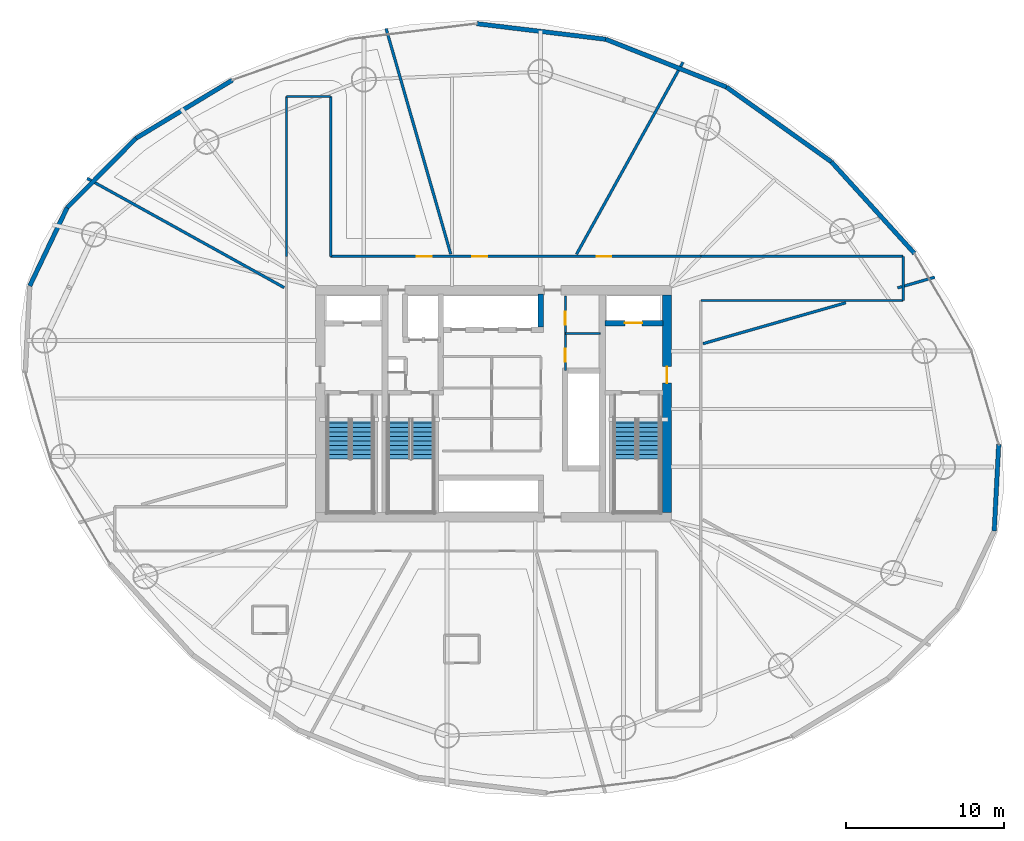
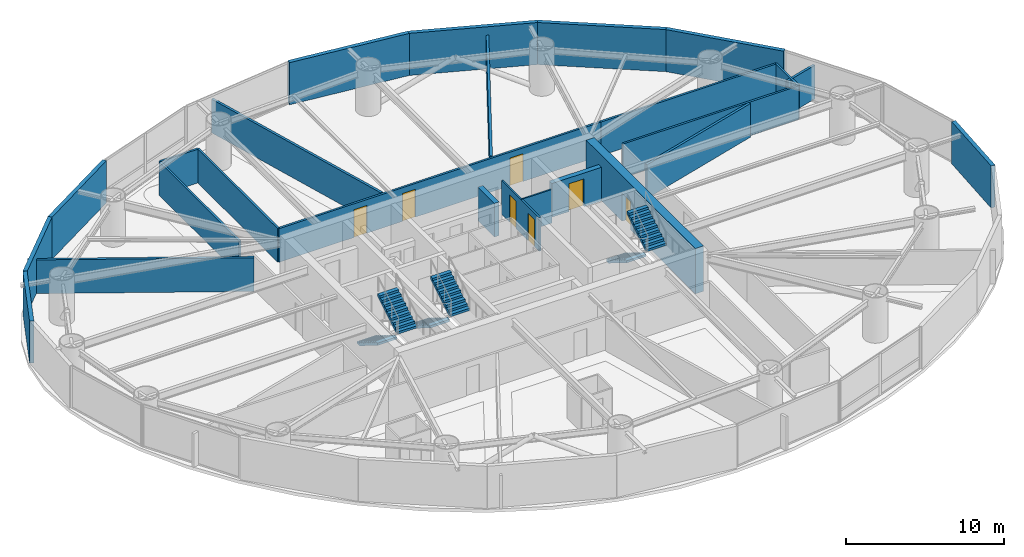
# One storey, part 25 of 30: 25 walls, 7 doors, 6 stair flights, 7 openings, 3 elements without a shape of their own.
"""IFC4 building model written with IfcOpenShell, lengths in metres."""

from ifc_helpers import new_model, si_unit, direction, frame, frame_2d, origin, place, context, subcontext, project, spatial, polyline, rectangle, outline, extrude, material, layer, layer_set, type_object, element, fill, aggregate, save


model = new_model("IFC4")

# Units and contexts
model_context = context("Model", 3, precision=1e-05, world=origin(), true_north=direction((0.0, 1.0)))
body_context = subcontext(model_context, "Body", "Model", "MODEL_VIEW")
ifc_project = project(units=[si_unit("LENGTHUNIT", "METRE"), si_unit("AREAUNIT", "SQUARE_METRE"), si_unit("VOLUMEUNIT", "CUBIC_METRE"), si_unit("PLANEANGLEUNIT", "RADIAN"), si_unit("MASSUNIT", "GRAM", prefix="KILO")], contexts=[model_context])

# Site, building, storey
site_placement = place(None, origin())
site = spatial("IfcSite", under=ifc_project, at=site_placement, CompositionType="ELEMENT")
building_placement = place(site_placement, origin())
building = spatial("IfcBuilding", under=site, at=building_placement, Name="Bramvorn Convention Spire", CompositionType="ELEMENT")
storey_placement = place(building_placement, frame((0.0, 0.0, 90.39990234375)))
storey = spatial("IfcBuildingStorey", under=building, at=storey_placement, Name="L21", CompositionType="ELEMENT", Elevation=90.39990234375)

# Wall, opening, door
ifc_material_1 = material(Name="Concrete C60/70", Category="concrete")
ifc_layer_1 = layer(ifc_material_1, 0.60009765625)
ifc_layer_set_1 = layer_set([ifc_layer_1], Name="Concrete C60/70 - WL-CORE-600")
wall_type_1 = type_object("IfcWallType", Name="WL-CORE-600", PredefinedType="SHEAR", material=ifc_layer_set_1)
wall_1_placement = place(storey_placement, frame((49.0, 19.10009765625, 0.0), z_axis=(0.0, 0.0, 1.0), x_axis=(0.0, 1.0, 0.0)))
wall_1 = element("IfcWall", 1, at=wall_1_placement, inside=storey, type_object=wall_type_1, Name="L21 East RC core shear wall", PredefinedType="SHEAR", context=body_context, shape_type="SweptSolid", body=[
    extrude(rectangle(XDim=13.7998046875, YDim=0.60009765625, at=frame_2d((6.89990234375, 0.0))), origin(), (0.0, 0.0, 1.0), 3.5),
])
opening_1_placement = place(wall_1_placement, frame((8.199951171875, 0.0, 0.0)))
opening_1 = element("IfcOpeningElement", 2, at=opening_1_placement, cuts=wall_1, Name="Opening DL-105", PredefinedType="OPENING", context=body_context, shape_type="SweptSolid", body=[
    extrude(rectangle(XDim=1.050048828125, YDim=2.14990234375, at=frame_2d((0.52490234375, 1.074951171875))), frame((0.0, 0.31005859375, 0.0), z_axis=(0.0, -1.0, 0.0), x_axis=(1.0, 0.0, 0.0)), (0.0, 0.0, 1.0), 0.6201171875),
])
ifc_material_2 = material(Name="Smoke-Sealed Fire Lobby Timber-Core Door", Category="wood")
door_type_1 = type_object("IfcDoorType", Name="DR-LOBBY-1050", OperationType="NOTDEFINED", PredefinedType="DOOR", material=ifc_material_2)
door_1_placement = place(opening_1_placement, origin())
door_1 = element("IfcDoor", 3, at=door_1_placement, inside=storey, type_object=door_type_1, Name="L21 East Firefighting Lobby corridor door", OperationType="SINGLE_SWING_LEFT", OverallHeight=2.14990234375, OverallWidth=1.050048828125, PredefinedType="DOOR", context=body_context, shape_type="SweptSolid", body=[
    extrude(rectangle(XDim=1.050048828125, YDim=2.14990234375, at=frame_2d((0.52490234375, 1.074951171875))), frame((0.0, 0.02490234375, 0.0), z_axis=(0.0, -1.0, 0.0), x_axis=(1.0, 0.0, 0.0)), (0.0, 0.0, 1.0), 0.050048828125),
])
fill(opening_1, door_1)

ifc_material_3 = material(Name="Concrete C50/60", Category="concrete")
ifc_layer_2 = layer(ifc_material_3, 0.35009765625)
ifc_layer_set_2 = layer_set([ifc_layer_2], Name="Concrete C50/60 - WL-CORE-INT-350")
wall_type_2 = type_object("IfcWallType", Name="WL-CORE-INT-350", PredefinedType="SHEAR", material=ifc_layer_set_2)
wall_2_placement = place(storey_placement, frame((45.080078125, 31.1201171875, 0.0), z_axis=(0.0, 0.0, 1.0), x_axis=(1.0, 0.0, 0.0)))
wall_2 = element("IfcWall", 4, at=wall_2_placement, inside=storey, type_object=wall_type_2, Name="L21 FE2 shaft front wall", PredefinedType="SHEAR", context=body_context, shape_type="SweptSolid", body=[
    extrude(rectangle(XDim=3.669921875, YDim=0.35009765625, at=frame_2d((1.8349609375, 0.0))), origin(), (0.0, 0.0, 1.0), 2.60009765625),
])
opening_2_placement = place(wall_2_placement, frame((1.25, 0.0, 0.0)))
opening_2 = element("IfcOpeningElement", 5, at=opening_2_placement, cuts=wall_2, Name="Opening LD-110", PredefinedType="OPENING", context=body_context, shape_type="SweptSolid", body=[
    extrude(rectangle(XDim=1.10009765625, YDim=2.14990234375, at=frame_2d((0.550048828125, 1.074951171875))), frame((0.0, 0.18505859375, 0.0), z_axis=(0.0, -1.0, 0.0), x_axis=(1.0, 0.0, 0.0)), (0.0, 0.0, 1.0), 0.3701171875),
])
ifc_material_4 = material(Name="Firefighting & Service Lift Sliding Landing Door", Category="steel")
door_type_2 = type_object("IfcDoorType", Name="DR-LIFT-LD-1100", OperationType="NOTDEFINED", PredefinedType="DOOR", material=ifc_material_4)
door_2_placement = place(opening_2_placement, origin())
door_2 = element("IfcDoor", 6, at=door_2_placement, inside=storey, type_object=door_type_2, Name="L21 Lift FE2 Sliding Landing Door", OperationType="SLIDING_TO_LEFT", OverallHeight=2.14990234375, OverallWidth=1.10009765625, PredefinedType="DOOR", context=body_context, shape_type="SweptSolid", body=[
    extrude(rectangle(XDim=1.10009765625, YDim=2.14990234375, at=frame_2d((0.550048828125, 1.074951171875))), frame((0.0, 0.02490234375, 0.0), z_axis=(0.0, -1.0, 0.0), x_axis=(1.0, 0.0, 0.0)), (0.0, 0.0, 1.0), 0.050048828125),
])
fill(opening_2, door_2)

# Walls
wall_3_placement = place(storey_placement, frame((41.0, 30.8701171875, 0.0), z_axis=(0.0, 0.0, 1.0), x_axis=(0.0, 1.0, 0.0)))
element("IfcWall", 7, at=wall_3_placement, inside=storey, type_object=wall_type_2, Name="L21 Low-rise bank east cheek wall", PredefinedType="SHEAR", context=body_context, shape_type="SweptSolid", body=[
    extrude(rectangle(XDim=2.079833984375, YDim=0.35009765625, at=frame_2d((1.0400390625, 0.0))), origin(), (0.0, 0.0, 1.0), 2.60009765625),
])
ifc_material_5 = material(Name="Precast Concrete C40/50 with Bronze Terracotta Rainscreen", Category="masonry")
ifc_layer_3 = layer(ifc_material_5, 0.300048828125)
ifc_layer_set_3 = layer_set([ifc_layer_3], Name="Precast Concrete C40/50 with Bronze Terracotta Rainscreen - WL-EXT-BRONZE-300")
wall_type_3 = type_object("IfcWallType", Name="WL-EXT-BRONZE-300", PredefinedType="SOLIDWALL", material=ifc_layer_set_3)
wall_4_placement = place(storey_placement, frame((70.055419921875, 23.421142578125, 0.0), z_axis=(0.0, 0.0, 1.0), x_axis=(-0.051649739807, -0.998665261425, 0.0)))
element("IfcWall", 8, at=wall_4_placement, inside=storey, type_object=wall_type_3, Name="L21 expressed bronze Gothic lancet pier wall 01", PredefinedType="SOLIDWALL", context=body_context, shape_type="SweptSolid", body=[
    extrude(rectangle(XDim=5.497314453125, YDim=0.280029296875, at=frame_2d((2.74853515625, 0.0))), origin(), (0.0, 0.0, 1.0), 3.25),
])
wall_5_placement = place(storey_placement, frame((59.428955078125, 41.3544921875, 0.0), z_axis=(0.0, 0.0, 1.0), x_axis=(0.672142867196, -0.740421478671, 0.0)))
element("IfcWall", 9, at=wall_5_placement, inside=storey, type_object=wall_type_3, Name="L21 expressed bronze Gothic lancet pier wall 04", PredefinedType="SOLIDWALL", context=body_context, shape_type="SweptSolid", body=[
    extrude(rectangle(XDim=7.844970703125, YDim=0.280029296875, at=frame_2d((3.92236328125, 0.0))), origin(), (0.0, 0.0, 1.0), 3.25),
])
wall_6_placement = place(storey_placement, frame((52.77490234375, 46.0966796875, 0.0), z_axis=(0.0, 0.0, 1.0), x_axis=(0.814352796441, -0.580370160267, 0.0)))
element("IfcWall", 10, at=wall_6_placement, inside=storey, type_object=wall_type_3, Name="L21 expressed bronze Gothic lancet pier wall 05", PredefinedType="SOLIDWALL", context=body_context, shape_type="SweptSolid", body=[
    extrude(rectangle(XDim=8.1708984375, YDim=0.280029296875, at=frame_2d((4.08544921875, 0.0))), origin(), (0.0, 0.0, 1.0), 3.25),
])
wall_7_placement = place(storey_placement, frame((45.11279296875, 49.13134765625, 0.0), z_axis=(0.0, 0.0, 1.0), x_axis=(0.929733940002, -0.368231993189, 0.0)))
element("IfcWall", 11, at=wall_7_placement, inside=storey, type_object=wall_type_3, Name="L21 expressed bronze Gothic lancet pier wall 06", PredefinedType="SOLIDWALL", context=body_context, shape_type="SweptSolid", body=[
    extrude(rectangle(XDim=8.2412109375, YDim=0.280029296875, at=frame_2d((4.12060546875, 0.0))), origin(), (0.0, 0.0, 1.0), 3.25),
])
wall_8_placement = place(storey_placement, frame((36.930908203125, 50.120361328125, 0.0), z_axis=(0.0, 0.0, 1.0), x_axis=(0.992773297887, -0.120004912414, 0.0)))
element("IfcWall", 12, at=wall_8_placement, inside=storey, type_object=wall_type_3, Name="L21 expressed bronze Gothic lancet pier wall 07", PredefinedType="SOLIDWALL", context=body_context, shape_type="SweptSolid", body=[
    extrude(rectangle(XDim=8.241455078125, YDim=0.280029296875, at=frame_2d((4.12060546875, 0.0))), origin(), (0.0, 0.0, 1.0), 3.25),
])
wall_9_placement = place(storey_placement, frame((15.2998046875, 42.848388671875, 0.0), z_axis=(0.0, 0.0, 1.0), x_axis=(0.856129783559, 0.51676086704, 0.0)))
element("IfcWall", 13, at=wall_9_placement, inside=storey, type_object=wall_type_3, Name="L21 expressed bronze Gothic lancet pier wall 10", PredefinedType="SOLIDWALL", context=body_context, shape_type="SweptSolid", body=[
    extrude(rectangle(XDim=7.142822265625, YDim=0.280029296875, at=frame_2d((3.5712890625, 0.0))), origin(), (0.0, 0.0, 1.0), 3.25),
])
wall_10_placement = place(storey_placement, frame((10.9248046875, 38.4384765625, 0.0), z_axis=(0.0, 0.0, 1.0), x_axis=(0.704291107344, 0.709911287497, 0.0)))
element("IfcWall", 14, at=wall_10_placement, inside=storey, type_object=wall_type_3, Name="L21 expressed bronze Gothic lancet pier wall 11", PredefinedType="SOLIDWALL", context=body_context, shape_type="SweptSolid", body=[
    extrude(rectangle(XDim=6.2119140625, YDim=0.280029296875, at=frame_2d((3.10595703125, 0.0))), origin(), (0.0, 0.0, 1.0), 3.25),
])
wall_11_placement = place(storey_placement, frame((8.5546875, 33.47802734375, 0.0), z_axis=(0.0, 0.0, 1.0), x_axis=(0.431119191354, 0.902294986602, 0.0)))
element("IfcWall", 15, at=wall_11_placement, inside=storey, type_object=wall_type_3, Name="L21 expressed bronze Gothic lancet pier wall 12", PredefinedType="SOLIDWALL", context=body_context, shape_type="SweptSolid", body=[
    extrude(rectangle(XDim=5.49755859375, YDim=0.280029296875, at=frame_2d((2.748779296875, 0.0))), origin(), (0.0, 0.0, 1.0), 3.25),
])
ifc_material_6 = material(Name="Lightweight En-Suite & Wet-Wall Partition", Category="gypsum")
ifc_layer_4 = layer(ifc_material_6, 0.110107421875)
ifc_layer_set_4 = layer_set([ifc_layer_4], Name="Lightweight En-Suite & Wet-Wall Partition - WL-PART-110")
wall_type_4 = type_object("IfcWallType", Name="WL-PART-110", PredefinedType="PARTITIONING", material=ifc_layer_set_4)
wall_12_placement = place(storey_placement, frame((42.550048828125, 30.449951171875, 0.0), z_axis=(0.0, 0.0, 1.0), x_axis=(1.0, 0.0, 0.0)))
element("IfcWall", 16, at=wall_12_placement, inside=storey, type_object=wall_type_4, Name="L21 KB NE divider", PredefinedType="PARTITIONING", context=body_context, shape_type="SweptSolid", body=[
    extrude(rectangle(XDim=2.199951171875, YDim=0.110107421875, at=frame_2d((1.10009765625, 0.0))), origin(), (0.0, 0.0, 1.0), 2.60009765625),
])

# Wall, openings, doors
ifc_material_7 = material(Name="Metal-Stud Demountable Office Partition", Category="gypsum")
ifc_layer_5 = layer(ifc_material_7, 0.1298828125)
ifc_layer_set_5 = layer_set([ifc_layer_5], Name="Metal-Stud Demountable Office Partition - WL-PART-130")
wall_type_5 = type_object("IfcWallType", Name="WL-PART-130", PredefinedType="PARTITIONING", material=ifc_layer_set_5)
wall_13_placement = place(storey_placement, frame((42.550048828125, 28.10009765625, 0.0), z_axis=(0.0, 0.0, 1.0), x_axis=(0.0, 1.0, 0.0)))
wall_13 = element("IfcWall", 17, at=wall_13_placement, inside=storey, type_object=wall_type_5, Name="L21 KB NE split wall", PredefinedType="PARTITIONING", context=body_context, shape_type="SweptSolid", body=[
    extrude(rectangle(XDim=4.75, YDim=0.1298828125, at=frame_2d((2.375, 0.0))), origin(), (0.0, 0.0, 1.0), 2.60009765625),
])
opening_3_placement = place(wall_13_placement, frame((0.550048828125, 0.0, 0.0)))
opening_3 = element("IfcOpeningElement", 18, at=opening_3_placement, cuts=wall_13, Name="Opening DC-085", PredefinedType="OPENING", context=body_context, shape_type="SweptSolid", body=[
    extrude(rectangle(XDim=0.85009765625, YDim=2.10009765625, at=frame_2d((0.425048828125, 1.050048828125))), frame((0.0, 0.074951171875, 0.0), z_axis=(0.0, -1.0, 0.0), x_axis=(1.0, 0.0, 0.0)), (0.0, 0.0, 1.0), 0.14990234375),
])
opening_4_placement = place(wall_13_placement, frame((2.89990234375, 0.0, 0.0)))
opening_4 = element("IfcOpeningElement", 19, at=opening_4_placement, cuts=wall_13, Name="Opening DC-085", PredefinedType="OPENING", context=body_context, shape_type="SweptSolid", body=[
    extrude(rectangle(XDim=0.85009765625, YDim=2.10009765625, at=frame_2d((0.425048828125, 1.050048828125))), frame((0.0, 0.074951171875, 0.0), z_axis=(0.0, -1.0, 0.0), x_axis=(1.0, 0.0, 0.0)), (0.0, 0.0, 1.0), 0.14990234375),
])
ifc_material_8 = material(Name="Fire-Rated Core Washroom & IDF Door", Category="wood")
door_type_3 = type_object("IfcDoorType", Name="DR-CORE-850", OperationType="NOTDEFINED", PredefinedType="DOOR", material=ifc_material_8)
door_3_placement = place(opening_3_placement, origin())
door_3 = element("IfcDoor", 20, at=door_3_placement, inside=storey, type_object=door_type_3, Name="L21 Core Staff WC door", OperationType="SINGLE_SWING_LEFT", OverallHeight=2.10009765625, OverallWidth=0.85009765625, PredefinedType="DOOR", context=body_context, shape_type="SweptSolid", body=[
    extrude(rectangle(XDim=0.85009765625, YDim=2.10009765625, at=frame_2d((0.425048828125, 1.050048828125))), frame((0.0, 0.02490234375, 0.0), z_axis=(0.0, -1.0, 0.0), x_axis=(1.0, 0.0, 0.0)), (0.0, 0.0, 1.0), 0.050048828125),
])
fill(opening_3, door_3)
door_4_placement = place(opening_4_placement, origin())
door_4 = element("IfcDoor", 21, at=door_4_placement, inside=storey, type_object=door_type_3, Name="L21 Core Data Closet door", OperationType="SINGLE_SWING_LEFT", OverallHeight=2.10009765625, OverallWidth=0.85009765625, PredefinedType="DOOR", context=body_context, shape_type="SweptSolid", body=[
    extrude(rectangle(XDim=0.85009765625, YDim=2.10009765625, at=frame_2d((0.425048828125, 1.050048828125))), frame((0.0, 0.02490234375, 0.0), z_axis=(0.0, -1.0, 0.0), x_axis=(1.0, 0.0, 0.0)), (0.0, 0.0, 1.0), 0.050048828125),
])
fill(opening_4, door_4)

ifc_material_9 = material(Name="Acoustic Metal-Stud Tenant/Corridor Partition", Category="gypsum")
ifc_layer_6 = layer(ifc_material_9, 0.14990234375)
ifc_layer_set_6 = layer_set([ifc_layer_6], Name="Acoustic Metal-Stud Tenant/Corridor Partition - WL-PART-150")
wall_type_6 = type_object("IfcWallType", Name="WL-PART-150", PredefinedType="PARTITIONING", material=ifc_layer_set_6)
wall_14_placement = place(storey_placement, frame((27.64990234375, 35.35009765625, 0.0), z_axis=(0.0, 0.0, 1.0), x_axis=(1.0, 0.0, 0.0)))
wall_14 = element("IfcWall", 22, at=wall_14_placement, inside=storey, type_object=wall_type_6, Name="L21 North ring corridor wall", PredefinedType="PARTITIONING", context=body_context, shape_type="SweptSolid", body=[
    extrude(rectangle(XDim=23.5, YDim=0.14990234375, at=frame_2d((11.75, 0.0))), origin(), (0.0, 0.0, 1.0), 2.60009765625),
])
opening_5_placement = place(wall_14_placement, frame((16.876953125, 0.0, 0.0)))
opening_5 = element("IfcOpeningElement", 23, at=opening_5_placement, cuts=wall_14, Name="Opening DH-095", PredefinedType="OPENING", context=body_context, shape_type="SweptSolid", body=[
    extrude(rectangle(XDim=0.949951171875, YDim=2.14990234375, at=frame_2d((0.47509765625, 1.074951171875))), frame((0.0, 0.0849609375, 0.0), z_axis=(0.0, -1.0, 0.0), x_axis=(1.0, 0.0, 0.0)), (0.0, 0.0, 1.0), 0.169921875),
])
opening_6_placement = place(wall_14_placement, frame((9.003173828125, 0.0, 0.0)))
opening_6 = element("IfcOpeningElement", 24, at=opening_6_placement, cuts=wall_14, Name="Opening DH-095", PredefinedType="OPENING", context=body_context, shape_type="SweptSolid", body=[
    extrude(rectangle(XDim=0.949951171875, YDim=2.14990234375, at=frame_2d((0.47509765625, 1.074951171875))), frame((0.0, 0.0849609375, 0.0), z_axis=(0.0, -1.0, 0.0), x_axis=(1.0, 0.0, 0.0)), (0.0, 0.0, 1.0), 0.169921875),
])
opening_7_placement = place(wall_14_placement, frame((5.47314453125, 0.0, 0.0)))
opening_7 = element("IfcOpeningElement", 25, at=opening_7_placement, cuts=wall_14, Name="Opening DH-095", PredefinedType="OPENING", context=body_context, shape_type="SweptSolid", body=[
    extrude(rectangle(XDim=0.949951171875, YDim=2.14990234375, at=frame_2d((0.47509765625, 1.074951171875))), frame((0.0, 0.0849609375, 0.0), z_axis=(0.0, -1.0, 0.0), x_axis=(1.0, 0.0, 0.0)), (0.0, 0.0, 1.0), 0.169921875),
])
ifc_material_10 = material(Name="Solid-Core Acoustic Guestroom Entry Door", Category="wood")
door_type_4 = type_object("IfcDoorType", Name="DR-HOTEL-950", OperationType="NOTDEFINED", PredefinedType="DOOR", material=ifc_material_10)
door_5_placement = place(opening_5_placement, origin())
door_5 = element("IfcDoor", 26, at=door_5_placement, inside=storey, type_object=door_type_4, Name="L21 Hospitality Lounge 1 door", OperationType="SINGLE_SWING_LEFT", OverallHeight=2.14990234375, OverallWidth=0.949951171875, PredefinedType="DOOR", context=body_context, shape_type="SweptSolid", body=[
    extrude(rectangle(XDim=0.949951171875, YDim=2.14990234375, at=frame_2d((0.47509765625, 1.074951171875))), frame((0.0, 0.02490234375, 0.0), z_axis=(0.0, -1.0, 0.0), x_axis=(1.0, 0.0, 0.0)), (0.0, 0.0, 1.0), 0.050048828125),
])
fill(opening_5, door_5)
door_6_placement = place(opening_6_placement, origin())
door_6 = element("IfcDoor", 27, at=door_6_placement, inside=storey, type_object=door_type_4, Name="L21 Hospitality Lounge 2 door", OperationType="SINGLE_SWING_LEFT", OverallHeight=2.14990234375, OverallWidth=0.949951171875, PredefinedType="DOOR", context=body_context, shape_type="SweptSolid", body=[
    extrude(rectangle(XDim=0.949951171875, YDim=2.14990234375, at=frame_2d((0.47509765625, 1.074951171875))), frame((0.0, 0.02490234375, 0.0), z_axis=(0.0, -1.0, 0.0), x_axis=(1.0, 0.0, 0.0)), (0.0, 0.0, 1.0), 0.050048828125),
])
fill(opening_6, door_6)
door_7_placement = place(opening_7_placement, origin())
door_7 = element("IfcDoor", 28, at=door_7_placement, inside=storey, type_object=door_type_4, Name="Hotel Suite 2103 entry door", OperationType="SINGLE_SWING_RIGHT", OverallHeight=2.14990234375, OverallWidth=0.949951171875, PredefinedType="DOOR", context=body_context, shape_type="SweptSolid", body=[
    extrude(rectangle(XDim=0.949951171875, YDim=2.14990234375, at=frame_2d((0.47509765625, 1.074951171875))), frame((0.0, 0.02490234375, 0.0), z_axis=(0.0, -1.0, 0.0), x_axis=(1.0, 0.0, 0.0)), (0.0, 0.0, 1.0), 0.050048828125),
])
fill(opening_7, door_7)

# Walls
for number, where, z_axis, x_axis, name in (
    (29, (51.14990234375, 35.35009765625, 0.0), (0.0, 0.0, 1.0), (1.0, 0.0, 0.0), "L21 NE pinwheel wing north wall"),
    (30, (51.14990234375, 32.550048828125, 0.0), (0.0, 0.0, 1.0), (1.0, 0.0, 0.0), "L21 NE pinwheel wing south wall"),
):
    element("IfcWall", number, at=place(storey_placement, frame(where, z_axis=z_axis, x_axis=x_axis)), inside=storey, type_object=wall_type_6, Name=name, PredefinedType="PARTITIONING", context=body_context, shape_type="SweptSolid", body=[
        extrude(rectangle(XDim=12.8447265625, YDim=0.14990234375, at=frame_2d((6.42236328125, 0.0))), origin(), (0.0, 0.0, 1.0), 2.60009765625),
    ])
wall_15_placement = place(storey_placement, frame((63.99462890625, 32.550048828125, 0.0), z_axis=(0.0, 0.0, 1.0), x_axis=(0.0, 1.0, 0.0)))
element("IfcWall", 31, at=wall_15_placement, inside=storey, type_object=wall_type_6, Name="L21 NE pinwheel end wall", PredefinedType="PARTITIONING", context=body_context, shape_type="SweptSolid", body=[
    extrude(rectangle(XDim=2.800048828125, YDim=0.14990234375, at=frame_2d((1.39990234375, 0.0))), origin(), (0.0, 0.0, 1.0), 2.60009765625),
])
for number, where, z_axis, x_axis, name in (
    (32, (24.85009765625, 35.35009765625, 0.0), (0.0, 0.0, 1.0), (0.0, 1.0, 0.0), "L21 NW pinwheel wing west wall"),
    (33, (27.64990234375, 35.35009765625, 0.0), (0.0, 0.0, 1.0), (0.0, 1.0, 0.0), "L21 NW pinwheel wing east wall"),
):
    element("IfcWall", number, at=place(storey_placement, frame(where, z_axis=z_axis, x_axis=x_axis)), inside=storey, type_object=wall_type_6, Name=name, PredefinedType="PARTITIONING", context=body_context, shape_type="SweptSolid", body=[
        extrude(rectangle(XDim=10.14990234375, YDim=0.14990234375, at=frame_2d((5.074951171875, 0.0))), origin(), (0.0, 0.0, 1.0), 2.60009765625),
    ])
wall_16_placement = place(storey_placement, frame((24.85009765625, 45.5, 0.0), z_axis=(0.0, 0.0, 1.0), x_axis=(1.0, 0.0, 0.0)))
element("IfcWall", 34, at=wall_16_placement, inside=storey, type_object=wall_type_6, Name="L21 NW pinwheel end wall", PredefinedType="PARTITIONING", context=body_context, shape_type="SweptSolid", body=[
    extrude(rectangle(XDim=2.7998046875, YDim=0.14990234375, at=frame_2d((1.39990234375, 0.0))), origin(), (0.0, 0.0, 1.0), 2.60009765625),
])
ifc_material_11 = material(Name="Double-Stud Acoustic Hotel/Suite Partition", Category="gypsum")
ifc_layer_7 = layer(ifc_material_11, 0.175048828125)
ifc_layer_set_7 = layer_set([ifc_layer_7], Name="Double-Stud Acoustic Hotel/Suite Partition - WL-PART-175")
wall_type_7 = type_object("IfcWallType", Name="WL-PART-175", PredefinedType="PARTITIONING", material=ifc_layer_set_7)
wall_17_placement = place(storey_placement, frame((51.2900390625, 29.810791015625, 0.0), z_axis=(0.0, 0.0, 1.0), x_axis=(0.961261668066, 0.275637453019, 0.0)))
element("IfcWall", 35, at=wall_17_placement, inside=storey, type_object=wall_type_7, Name="L21 Guestroom demising wall 1", PredefinedType="PARTITIONING", context=body_context, shape_type="SweptSolid", body=[
    extrude(rectangle(XDim=9.429443359375, YDim=0.175048828125, at=frame_2d((4.71484375, 0.0))), origin(), (0.0, 0.0, 1.0), 2.60009765625),
])
wall_18_placement = place(storey_placement, frame((63.63427734375, 33.3505859375, 0.0), z_axis=(0.0, 0.0, 1.0), x_axis=(0.961261224471, 0.275639000014, 0.0)))
element("IfcWall", 36, at=wall_18_placement, inside=storey, type_object=wall_type_7, Name="L21 Guestroom demising wall 1", PredefinedType="PARTITIONING", context=body_context, shape_type="SweptSolid", body=[
    extrude(rectangle(XDim=2.458740234375, YDim=0.175048828125, at=frame_2d((1.2294921875, 0.0))), origin(), (0.0, 0.0, 1.0), 2.60009765625),
])
wall_19_placement = place(storey_placement, frame((43.260498046875, 35.489990234375, 0.0), z_axis=(0.0, 0.0, 1.0), x_axis=(0.484809077535, 0.874620007969, 0.0)))
element("IfcWall", 37, at=wall_19_placement, inside=storey, type_object=wall_type_7, Name="L21 Guestroom demising wall 2", PredefinedType="PARTITIONING", context=body_context, shape_type="SweptSolid", body=[
    extrude(rectangle(XDim=13.94970703125, YDim=0.175048828125, at=frame_2d((6.974853515625, 0.0))), origin(), (0.0, 0.0, 1.0), 2.60009765625),
])
wall_20_placement = place(storey_placement, frame((35.27880859375, 35.489990234375, 0.0), z_axis=(0.0, 0.0, 1.0), x_axis=(-0.275642608392, 0.961260189771, 0.0)))
element("IfcWall", 38, at=wall_20_placement, inside=storey, type_object=wall_type_7, Name="L21 Guestroom demising wall 3", PredefinedType="PARTITIONING", context=body_context, shape_type="SweptSolid", body=[
    extrude(rectangle(XDim=14.90478515625, YDim=0.175048828125, at=frame_2d((7.452392578125, 0.0))), origin(), (0.0, 0.0, 1.0), 2.60009765625),
])
wall_21_placement = place(storey_placement, frame((24.7099609375, 33.36669921875, 0.0), z_axis=(0.0, 0.0, 1.0), x_axis=(-0.874610832143, 0.484825630819, 0.0)))
element("IfcWall", 39, at=wall_21_placement, inside=storey, type_object=wall_type_7, Name="L21 Guestroom demising wall 4", PredefinedType="PARTITIONING", context=body_context, shape_type="SweptSolid", body=[
    extrude(rectangle(XDim=14.308349609375, YDim=0.175048828125, at=frame_2d((7.154296875, 0.0))), origin(), (0.0, 0.0, 1.0), 2.60009765625),
])

# Stair, stair flights
ifc_material_12 = material(Name="Concrete C40/50 Precast Stair", Category="concrete")
stair_type = type_object("IfcStairType", Name="ST-TOWER-1550", PredefinedType="HALF_TURN_STAIR", material=ifc_material_12)
stair_1_placement = place(storey_placement, origin())
stair_1 = element("IfcStair", 40, at=stair_1_placement, inside=storey, type_object=stair_type, Name="L21 Protected Exit Stair ST1", PredefinedType="HALF_TURN_STAIR")
ifc_material_13 = material(Name="Concrete C40/50 Precast Stair Flight", Category="concrete")
stair_flight_type = type_object("IfcStairFlightType", Name="STF-TOWER-1550", PredefinedType="STRAIGHT", material=ifc_material_13)
stair_flight_1_placement = place(storey_placement, frame((28.155029296875, 25.050048828125, 0.0), z_axis=(0.0, 0.0, 1.0), x_axis=(0.0, -1.0, 0.0)))
stair_flight_1 = element("IfcStairFlight", 41, at=stair_flight_1_placement, type_object=stair_flight_type, Name="ST1 flight 1", NumberOfRisers=10, NumberOfTreads=9, PredefinedType="STRAIGHT", RiserHeight=0.175, TreadLength=0.285, context=body_context, shape_type="SweptSolid", body=[
    extrude(outline(polyline([(0.0, 0.0), (0.0, 0.175048828125), (0.284912109375, 0.175048828125), (0.284912109375, 0.35009765625), (0.570068359375, 0.35009765625), (0.570068359375, 0.52490234375), (0.85498046875, 0.52490234375), (0.85498046875, 0.699951171875), (1.139892578125, 0.699951171875), (1.139892578125, 0.875), (1.425048828125, 0.875), (1.425048828125, 1.050048828125), (1.7099609375, 1.050048828125), (1.7099609375, 1.22509765625), (1.9951171875, 1.22509765625), (1.9951171875, 1.39990234375), (2.280029296875, 1.39990234375), (2.280029296875, 1.574951171875), (2.56494140625, 1.574951171875), (2.56494140625, 1.75), (2.56494140625, 1.399169921875), (0.286376953125, 0.0), (0.0, 0.0)])), frame((0.0, 0.705078125, 0.0), z_axis=(0.0, -1.0, 0.0), x_axis=(1.0, 0.0, 0.0)), (0.0, 0.0, 1.0), 1.409912109375),
])
stair_flight_2_placement = place(storey_placement, frame((29.64501953125, 22.485107421875, 1.75), z_axis=(0.0, 0.0, 1.0), x_axis=(0.0, 1.0, 0.0)))
stair_flight_2 = element("IfcStairFlight", 42, at=stair_flight_2_placement, type_object=stair_flight_type, Name="ST1 flight 2", NumberOfRisers=10, NumberOfTreads=9, PredefinedType="STRAIGHT", RiserHeight=0.175, TreadLength=0.285, context=body_context, shape_type="SweptSolid", body=[
    extrude(outline(polyline([(0.0, 0.0), (0.0, 0.175048828125), (0.284912109375, 0.175048828125), (0.284912109375, 0.35009765625), (0.570068359375, 0.35009765625), (0.570068359375, 0.52490234375), (0.85498046875, 0.52490234375), (0.85498046875, 0.699951171875), (1.139892578125, 0.699951171875), (1.139892578125, 0.875), (1.425048828125, 0.875), (1.425048828125, 1.050048828125), (1.7099609375, 1.050048828125), (1.7099609375, 1.22509765625), (1.9951171875, 1.22509765625), (1.9951171875, 1.39990234375), (2.280029296875, 1.39990234375), (2.280029296875, 1.574951171875), (2.56494140625, 1.574951171875), (2.56494140625, 1.75), (2.56494140625, 1.399169921875), (0.286376953125, 0.0), (0.0, 0.0)])), frame((0.0, 0.705078125, 0.0), z_axis=(0.0, -1.0, 0.0), x_axis=(1.0, 0.0, 0.0)), (0.0, 0.0, 1.0), 1.409912109375),
])
aggregate(stair_1, [stair_flight_1, stair_flight_2])

stair_2_placement = place(storey_placement, origin())
stair_2 = element("IfcStair", 43, at=stair_2_placement, inside=storey, type_object=stair_type, Name="L21 Protected Exit Stair ST2", PredefinedType="HALF_TURN_STAIR")
stair_flight_3_placement = place(storey_placement, frame((46.35498046875, 25.050048828125, 0.0), z_axis=(0.0, 0.0, 1.0), x_axis=(0.0, -1.0, 0.0)))
stair_flight_3 = element("IfcStairFlight", 44, at=stair_flight_3_placement, type_object=stair_flight_type, Name="ST2 flight 1", NumberOfRisers=10, NumberOfTreads=9, PredefinedType="STRAIGHT", RiserHeight=0.175, TreadLength=0.285, context=body_context, shape_type="SweptSolid", body=[
    extrude(outline(polyline([(0.0, 0.0), (0.0, 0.175048828125), (0.284912109375, 0.175048828125), (0.284912109375, 0.35009765625), (0.570068359375, 0.35009765625), (0.570068359375, 0.52490234375), (0.85498046875, 0.52490234375), (0.85498046875, 0.699951171875), (1.139892578125, 0.699951171875), (1.139892578125, 0.875), (1.425048828125, 0.875), (1.425048828125, 1.050048828125), (1.7099609375, 1.050048828125), (1.7099609375, 1.22509765625), (1.9951171875, 1.22509765625), (1.9951171875, 1.39990234375), (2.280029296875, 1.39990234375), (2.280029296875, 1.574951171875), (2.56494140625, 1.574951171875), (2.56494140625, 1.75), (2.56494140625, 1.399169921875), (0.286376953125, 0.0), (0.0, 0.0)])), frame((0.0, 0.705078125, 0.0), z_axis=(0.0, -1.0, 0.0), x_axis=(1.0, 0.0, 0.0)), (0.0, 0.0, 1.0), 1.409912109375),
])
stair_flight_4_placement = place(storey_placement, frame((47.844970703125, 22.485107421875, 1.75), z_axis=(0.0, 0.0, 1.0), x_axis=(0.0, 1.0, 0.0)))
stair_flight_4 = element("IfcStairFlight", 45, at=stair_flight_4_placement, type_object=stair_flight_type, Name="ST2 flight 2", NumberOfRisers=10, NumberOfTreads=9, PredefinedType="STRAIGHT", RiserHeight=0.175, TreadLength=0.285, context=body_context, shape_type="SweptSolid", body=[
    extrude(outline(polyline([(0.0, 0.0), (0.0, 0.175048828125), (0.284912109375, 0.175048828125), (0.284912109375, 0.35009765625), (0.570068359375, 0.35009765625), (0.570068359375, 0.52490234375), (0.85498046875, 0.52490234375), (0.85498046875, 0.699951171875), (1.139892578125, 0.699951171875), (1.139892578125, 0.875), (1.425048828125, 0.875), (1.425048828125, 1.050048828125), (1.7099609375, 1.050048828125), (1.7099609375, 1.22509765625), (1.9951171875, 1.22509765625), (1.9951171875, 1.39990234375), (2.280029296875, 1.39990234375), (2.280029296875, 1.574951171875), (2.56494140625, 1.574951171875), (2.56494140625, 1.75), (2.56494140625, 1.399169921875), (0.286376953125, 0.0), (0.0, 0.0)])), frame((0.0, 0.705078125, 0.0), z_axis=(0.0, -1.0, 0.0), x_axis=(1.0, 0.0, 0.0)), (0.0, 0.0, 1.0), 1.409912109375),
])
aggregate(stair_2, [stair_flight_3, stair_flight_4])

stair_3_placement = place(storey_placement, origin())
stair_3 = element("IfcStair", 46, at=stair_3_placement, inside=storey, type_object=stair_type, Name="L21 Protected Exit Stair ST3", PredefinedType="HALF_TURN_STAIR")
stair_flight_5_placement = place(storey_placement, frame((32.0048828125, 25.050048828125, 0.0), z_axis=(0.0, 0.0, 1.0), x_axis=(0.0, -1.0, 0.0)))
stair_flight_5 = element("IfcStairFlight", 47, at=stair_flight_5_placement, type_object=stair_flight_type, Name="ST3 flight 1", NumberOfRisers=10, NumberOfTreads=9, PredefinedType="STRAIGHT", RiserHeight=0.175, TreadLength=0.285, context=body_context, shape_type="SweptSolid", body=[
    extrude(outline(polyline([(0.0, 0.0), (0.0, 0.175048828125), (0.284912109375, 0.175048828125), (0.284912109375, 0.35009765625), (0.570068359375, 0.35009765625), (0.570068359375, 0.52490234375), (0.85498046875, 0.52490234375), (0.85498046875, 0.699951171875), (1.139892578125, 0.699951171875), (1.139892578125, 0.875), (1.425048828125, 0.875), (1.425048828125, 1.050048828125), (1.7099609375, 1.050048828125), (1.7099609375, 1.22509765625), (1.9951171875, 1.22509765625), (1.9951171875, 1.39990234375), (2.280029296875, 1.39990234375), (2.280029296875, 1.574951171875), (2.56494140625, 1.574951171875), (2.56494140625, 1.75), (2.56494140625, 1.399169921875), (0.286376953125, 0.0), (0.0, 0.0)])), frame((0.0, 0.705078125, 0.0), z_axis=(0.0, -1.0, 0.0), x_axis=(1.0, 0.0, 0.0)), (0.0, 0.0, 1.0), 1.409912109375),
])
stair_flight_6_placement = place(storey_placement, frame((33.4951171875, 22.485107421875, 1.75), z_axis=(0.0, 0.0, 1.0), x_axis=(0.0, 1.0, 0.0)))
stair_flight_6 = element("IfcStairFlight", 48, at=stair_flight_6_placement, type_object=stair_flight_type, Name="ST3 flight 2", NumberOfRisers=10, NumberOfTreads=9, PredefinedType="STRAIGHT", RiserHeight=0.175, TreadLength=0.285, context=body_context, shape_type="SweptSolid", body=[
    extrude(outline(polyline([(0.0, 0.0), (0.0, 0.175048828125), (0.284912109375, 0.175048828125), (0.284912109375, 0.35009765625), (0.570068359375, 0.35009765625), (0.570068359375, 0.52490234375), (0.85498046875, 0.52490234375), (0.85498046875, 0.699951171875), (1.139892578125, 0.699951171875), (1.139892578125, 0.875), (1.425048828125, 0.875), (1.425048828125, 1.050048828125), (1.7099609375, 1.050048828125), (1.7099609375, 1.22509765625), (1.9951171875, 1.22509765625), (1.9951171875, 1.39990234375), (2.280029296875, 1.39990234375), (2.280029296875, 1.574951171875), (2.56494140625, 1.574951171875), (2.56494140625, 1.75), (2.56494140625, 1.399169921875), (0.286376953125, 0.0), (0.0, 0.0)])), frame((0.0, 0.705078125, 0.0), z_axis=(0.0, -1.0, 0.0), x_axis=(1.0, 0.0, 0.0)), (0.0, 0.0, 1.0), 1.409912109375),
])
aggregate(stair_3, [stair_flight_5, stair_flight_6])

save(model, "model.ifc")
